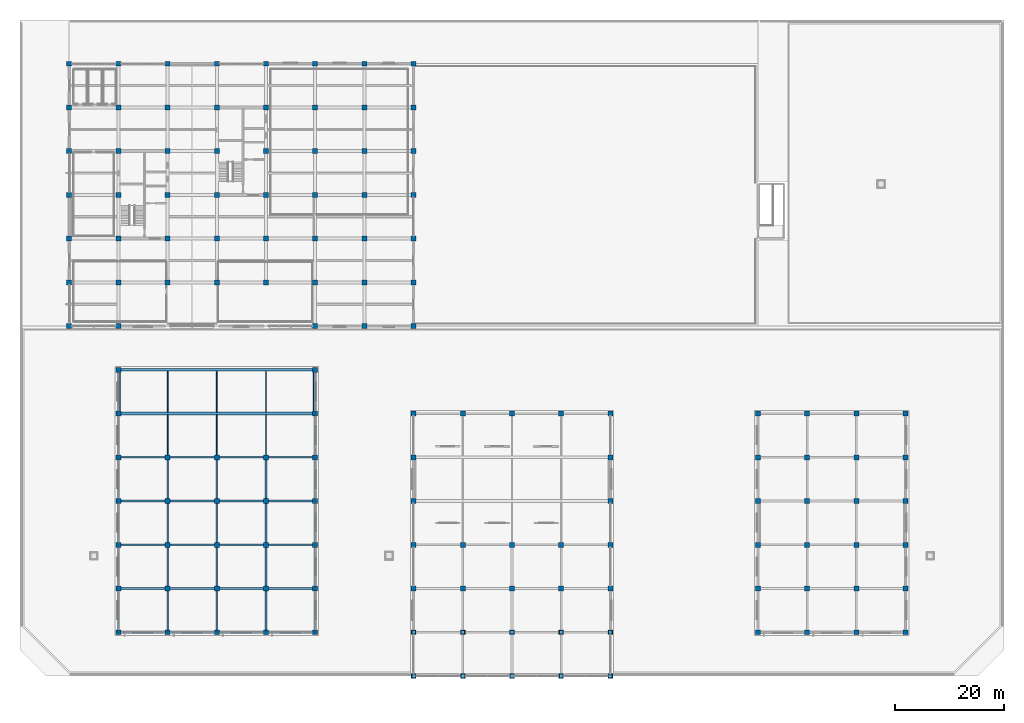
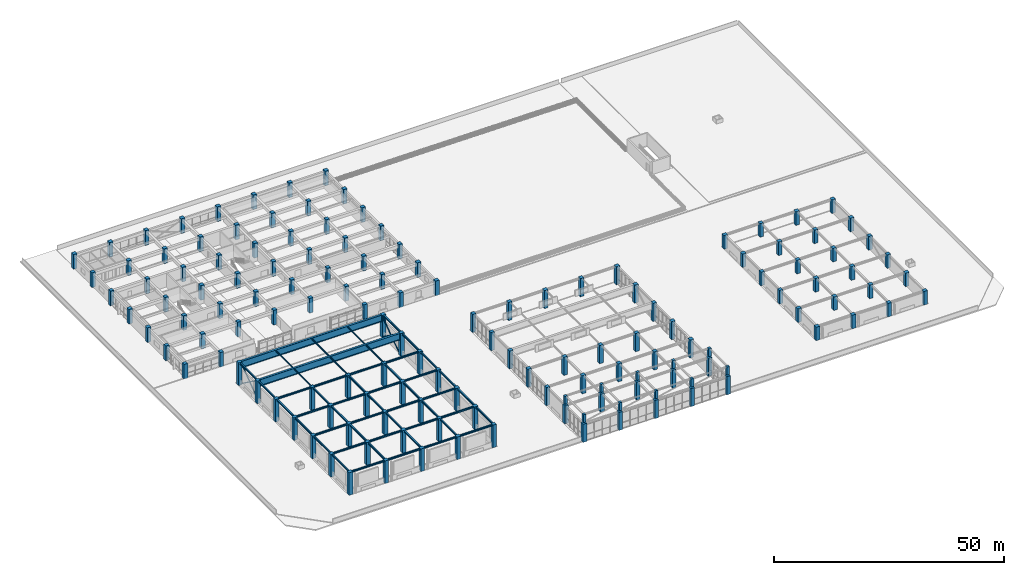
# One storey, part 1 of 34: 145 columns, 52 beams, 4 members.
"""IFC4 building model written with IfcOpenShell, lengths in metres."""

from ifc_helpers import new_model, si_unit, direction, frame, origin, origin_2d, place, context, subcontext, project, spatial, rectangle, hollow_rectangle, i_section, extrude, material, material_profile, profile_set, type_object, element, save


model = new_model("IFC4")

# Units and contexts
model_context = context("Model", 3, precision=1e-05, world=origin(), true_north=direction((0.0, 1.0)))
body_context = subcontext(model_context, "Body", "Model", "MODEL_VIEW")
ifc_project = project(units=[si_unit("LENGTHUNIT", "METRE"), si_unit("AREAUNIT", "SQUARE_METRE"), si_unit("VOLUMEUNIT", "CUBIC_METRE"), si_unit("PLANEANGLEUNIT", "RADIAN"), si_unit("MASSUNIT", "GRAM", prefix="KILO")], contexts=[model_context])

# Site, building, storey
site_placement = place(None, origin())
site = spatial("IfcSite", under=ifc_project, at=site_placement, CompositionType="ELEMENT")
building_placement = place(site_placement, origin())
building = spatial("IfcBuilding", under=site, at=building_placement, Name="Zaverband Oceanarium and Marine Research Institute", CompositionType="ELEMENT")
storey_placement = place(building_placement, frame((0.0, 0.0, 18.0)))
storey = spatial("IfcBuildingStorey", under=building, at=storey_placement, Name="L04", CompositionType="ELEMENT", Elevation=18.0)

# Columns
ifc_material_1 = material(Name="Concrete C50/60", Category="concrete")
ifc_material_profile_1 = material_profile(ifc_material_1, rectangle(XDim=0.64990234375, YDim=0.64990234375, at=origin_2d()), Name="RC650x650")
ifc_profile_set_1 = profile_set([ifc_material_profile_1], Name="Concrete C50/60")
column_type_1 = type_object("IfcColumnType", Name="COL-C650", PredefinedType="COLUMN", material=ifc_profile_set_1)
for number, where, z_axis, x_axis, name in (
    (1, (72.0, 0.0, 5.10009765625), (0.0, 0.0, 1.0), (1.0, 0.0, 0.0), "Reinforced concrete column RC650x650 COL-C650"),
    (2, (72.0, 8.0, 5.10009765625), (0.0, 0.0, 1.0), (1.0, 0.0, 0.0), "Reinforced concrete column RC650x650 COL-C650"),
    (3, (81.0, 0.0, 5.10009765625), (0.0, 0.0, 1.0), (1.0, 0.0, 0.0), "Reinforced concrete column RC650x650 COL-C650"),
    (4, (81.0, 8.0, 5.10009765625), (0.0, 0.0, 1.0), (1.0, 0.0, 0.0), "Reinforced concrete column RC650x650 COL-C650"),
    (5, (90.0, 0.0, 5.10009765625), (0.0, 0.0, 1.0), (1.0, 0.0, 0.0), "Reinforced concrete column RC650x650 COL-C650"),
    (6, (90.0, 8.0, 5.10009765625), (0.0, 0.0, 1.0), (1.0, 0.0, 0.0), "Reinforced concrete column RC650x650 COL-C650"),
    (7, (99.0, 0.0, 5.10009765625), (0.0, 0.0, 1.0), (1.0, 0.0, 0.0), "Reinforced concrete column RC650x650 COL-C650"),
    (8, (99.0, 8.0, 5.10009765625), (0.0, 0.0, 1.0), (1.0, 0.0, 0.0), "Reinforced concrete column RC650x650 COL-C650"),
    (9, (108.0, 0.0, 5.10009765625), (0.0, 0.0, 1.0), (1.0, 0.0, 0.0), "Reinforced concrete column RC650x650 COL-C650"),
    (10, (108.0, 8.0, 5.10009765625), (0.0, 0.0, 1.0), (1.0, 0.0, 0.0), "Reinforced concrete column RC650x650 COL-C650"),
):
    element("IfcColumn", number, at=place(storey_placement, frame(where, z_axis=z_axis, x_axis=x_axis)), inside=storey, type_object=column_type_1, Name=name, PredefinedType="COLUMN", context=body_context, shape_type="SweptSolid", body=[
        extrude(rectangle(XDim=0.64990234375, YDim=0.64990234375, at=origin_2d()), origin(), (0.0, 0.0, 1.0), 2.099853515625),
    ])
ifc_material_profile_2 = material_profile(ifc_material_1, rectangle(XDim=0.89990234375, YDim=0.89990234375, at=origin_2d()), Name="RC900x900")
ifc_profile_set_2 = profile_set([ifc_material_profile_2], Name="Concrete C50/60")
column_type_2 = type_object("IfcColumnType", Name="COL-C900", PredefinedType="COLUMN", material=ifc_profile_set_2)
for number, where, z_axis, x_axis, name in (
    (11, (9.0, 64.0, 0.0), (0.0, 0.0, 1.0), (1.0, 0.0, 0.0), "Reinforced concrete column RC900x900 COL-C900"),
    (12, (9.0, 72.0, 0.0), (0.0, 0.0, 1.0), (1.0, 0.0, 0.0), "Reinforced concrete column RC900x900 COL-C900"),
    (13, (9.0, 80.0, 0.0), (0.0, 0.0, 1.0), (1.0, 0.0, 0.0), "Reinforced concrete column RC900x900 COL-C900"),
    (14, (9.0, 88.0, 0.0), (0.0, 0.0, 1.0), (1.0, 0.0, 0.0), "Reinforced concrete column RC900x900 COL-C900"),
    (15, (9.0, 96.0, 0.0), (0.0, 0.0, 1.0), (1.0, 0.0, 0.0), "Reinforced concrete column RC900x900 COL-C900"),
    (16, (9.0, 104.0, 0.0), (0.0, 0.0, 1.0), (1.0, 0.0, 0.0), "Reinforced concrete column RC900x900 COL-C900"),
    (17, (9.0, 112.0, 0.0), (0.0, 0.0, 1.0), (1.0, 0.0, 0.0), "Reinforced concrete column RC900x900 COL-C900"),
    (18, (18.0, 64.0, 0.0), (0.0, 0.0, 1.0), (1.0, 0.0, 0.0), "Reinforced concrete column RC900x900 COL-C900"),
    (19, (18.0, 72.0, 0.0), (0.0, 0.0, 1.0), (1.0, 0.0, 0.0), "Reinforced concrete column RC900x900 COL-C900"),
    (20, (18.0, 80.0, 0.0), (0.0, 0.0, 1.0), (1.0, 0.0, 0.0), "Reinforced concrete column RC900x900 COL-C900"),
    (21, (18.0, 88.0, 0.0), (0.0, 0.0, 1.0), (1.0, 0.0, 0.0), "Reinforced concrete column RC900x900 COL-C900"),
    (22, (18.0, 96.0, 0.0), (0.0, 0.0, 1.0), (1.0, 0.0, 0.0), "Reinforced concrete column RC900x900 COL-C900"),
    (23, (18.0, 104.0, 0.0), (0.0, 0.0, 1.0), (1.0, 0.0, 0.0), "Reinforced concrete column RC900x900 COL-C900"),
    (24, (18.0, 112.0, 0.0), (0.0, 0.0, 1.0), (1.0, 0.0, 0.0), "Reinforced concrete column RC900x900 COL-C900"),
    (25, (27.0, 72.0, 0.0), (0.0, 0.0, 1.0), (1.0, 0.0, 0.0), "Reinforced concrete column RC900x900 COL-C900"),
    (26, (27.0, 80.0, 0.0), (0.0, 0.0, 1.0), (1.0, 0.0, 0.0), "Reinforced concrete column RC900x900 COL-C900"),
    (27, (27.0, 88.0, 0.0), (0.0, 0.0, 1.0), (1.0, 0.0, 0.0), "Reinforced concrete column RC900x900 COL-C900"),
    (28, (27.0, 96.0, 0.0), (0.0, 0.0, 1.0), (1.0, 0.0, 0.0), "Reinforced concrete column RC900x900 COL-C900"),
    (29, (27.0, 104.0, 0.0), (0.0, 0.0, 1.0), (1.0, 0.0, 0.0), "Reinforced concrete column RC900x900 COL-C900"),
    (30, (27.0, 112.0, 0.0), (0.0, 0.0, 1.0), (1.0, 0.0, 0.0), "Reinforced concrete column RC900x900 COL-C900"),
    (31, (36.0, 72.0, 0.0), (0.0, 0.0, 1.0), (1.0, 0.0, 0.0), "Reinforced concrete column RC900x900 COL-C900"),
    (32, (36.0, 80.0, 0.0), (0.0, 0.0, 1.0), (1.0, 0.0, 0.0), "Reinforced concrete column RC900x900 COL-C900"),
    (33, (36.0, 88.0, 0.0), (0.0, 0.0, 1.0), (1.0, 0.0, 0.0), "Reinforced concrete column RC900x900 COL-C900"),
    (34, (36.0, 96.0, 0.0), (0.0, 0.0, 1.0), (1.0, 0.0, 0.0), "Reinforced concrete column RC900x900 COL-C900"),
    (35, (36.0, 104.0, 0.0), (0.0, 0.0, 1.0), (1.0, 0.0, 0.0), "Reinforced concrete column RC900x900 COL-C900"),
    (36, (36.0, 112.0, 0.0), (0.0, 0.0, 1.0), (1.0, 0.0, 0.0), "Reinforced concrete column RC900x900 COL-C900"),
    (37, (45.0, 72.0, 0.0), (0.0, 0.0, 1.0), (1.0, 0.0, 0.0), "Reinforced concrete column RC900x900 COL-C900"),
    (38, (45.0, 80.0, 0.0), (0.0, 0.0, 1.0), (1.0, 0.0, 0.0), "Reinforced concrete column RC900x900 COL-C900"),
    (39, (45.0, 88.0, 0.0), (0.0, 0.0, 1.0), (1.0, 0.0, 0.0), "Reinforced concrete column RC900x900 COL-C900"),
    (40, (45.0, 96.0, 0.0), (0.0, 0.0, 1.0), (1.0, 0.0, 0.0), "Reinforced concrete column RC900x900 COL-C900"),
    (41, (45.0, 104.0, 0.0), (0.0, 0.0, 1.0), (1.0, 0.0, 0.0), "Reinforced concrete column RC900x900 COL-C900"),
    (42, (45.0, 112.0, 0.0), (0.0, 0.0, 1.0), (1.0, 0.0, 0.0), "Reinforced concrete column RC900x900 COL-C900"),
    (43, (54.0, 64.0, 0.0), (0.0, 0.0, 1.0), (1.0, 0.0, 0.0), "Reinforced concrete column RC900x900 COL-C900"),
    (44, (54.0, 72.0, 0.0), (0.0, 0.0, 1.0), (1.0, 0.0, 0.0), "Reinforced concrete column RC900x900 COL-C900"),
    (45, (54.0, 80.0, 0.0), (0.0, 0.0, 1.0), (1.0, 0.0, 0.0), "Reinforced concrete column RC900x900 COL-C900"),
    (46, (54.0, 88.0, 0.0), (0.0, 0.0, 1.0), (1.0, 0.0, 0.0), "Reinforced concrete column RC900x900 COL-C900"),
    (47, (54.0, 96.0, 0.0), (0.0, 0.0, 1.0), (1.0, 0.0, 0.0), "Reinforced concrete column RC900x900 COL-C900"),
    (48, (54.0, 104.0, 0.0), (0.0, 0.0, 1.0), (1.0, 0.0, 0.0), "Reinforced concrete column RC900x900 COL-C900"),
    (49, (54.0, 112.0, 0.0), (0.0, 0.0, 1.0), (1.0, 0.0, 0.0), "Reinforced concrete column RC900x900 COL-C900"),
    (50, (63.0, 64.0, 0.0), (0.0, 0.0, 1.0), (1.0, 0.0, 0.0), "Reinforced concrete column RC900x900 COL-C900"),
    (51, (63.0, 72.0, 0.0), (0.0, 0.0, 1.0), (1.0, 0.0, 0.0), "Reinforced concrete column RC900x900 COL-C900"),
    (52, (63.0, 80.0, 0.0), (0.0, 0.0, 1.0), (1.0, 0.0, 0.0), "Reinforced concrete column RC900x900 COL-C900"),
    (53, (63.0, 88.0, 0.0), (0.0, 0.0, 1.0), (1.0, 0.0, 0.0), "Reinforced concrete column RC900x900 COL-C900"),
    (54, (63.0, 96.0, 0.0), (0.0, 0.0, 1.0), (1.0, 0.0, 0.0), "Reinforced concrete column RC900x900 COL-C900"),
    (55, (63.0, 104.0, 0.0), (0.0, 0.0, 1.0), (1.0, 0.0, 0.0), "Reinforced concrete column RC900x900 COL-C900"),
    (56, (63.0, 112.0, 0.0), (0.0, 0.0, 1.0), (1.0, 0.0, 0.0), "Reinforced concrete column RC900x900 COL-C900"),
    (57, (72.0, 64.0, 0.0), (0.0, 0.0, 1.0), (1.0, 0.0, 0.0), "Reinforced concrete column RC900x900 COL-C900"),
    (58, (72.0, 72.0, 0.0), (0.0, 0.0, 1.0), (1.0, 0.0, 0.0), "Reinforced concrete column RC900x900 COL-C900"),
    (59, (72.0, 80.0, 0.0), (0.0, 0.0, 1.0), (1.0, 0.0, 0.0), "Reinforced concrete column RC900x900 COL-C900"),
    (60, (72.0, 88.0, 0.0), (0.0, 0.0, 1.0), (1.0, 0.0, 0.0), "Reinforced concrete column RC900x900 COL-C900"),
    (61, (72.0, 96.0, 0.0), (0.0, 0.0, 1.0), (1.0, 0.0, 0.0), "Reinforced concrete column RC900x900 COL-C900"),
    (62, (72.0, 104.0, 0.0), (0.0, 0.0, 1.0), (1.0, 0.0, 0.0), "Reinforced concrete column RC900x900 COL-C900"),
    (63, (72.0, 112.0, 0.0), (0.0, 0.0, 1.0), (1.0, 0.0, 0.0), "Reinforced concrete column RC900x900 COL-C900"),
):
    element("IfcColumn", number, at=place(storey_placement, frame(where, z_axis=z_axis, x_axis=x_axis)), inside=storey, type_object=column_type_2, Name=name, PredefinedType="COLUMN", context=body_context, shape_type="SweptSolid", body=[
        extrude(rectangle(XDim=0.89990234375, YDim=0.89990234375, at=origin_2d()), origin(), (0.0, 0.0, 1.0), 3.89990234375),
    ])
for number, where, z_axis, x_axis, name in (
    (64, (18.0, 8.0, 0.0), (0.0, 0.0, 1.0), (1.0, 0.0, 0.0), "Reinforced concrete column RC900x900 COL-C900"),
    (65, (18.0, 16.0, 0.0), (0.0, 0.0, 1.0), (1.0, 0.0, 0.0), "Reinforced concrete column RC900x900 COL-C900"),
    (66, (18.0, 24.0, 0.0), (0.0, 0.0, 1.0), (1.0, 0.0, 0.0), "Reinforced concrete column RC900x900 COL-C900"),
    (67, (18.0, 32.0, 0.0), (0.0, 0.0, 1.0), (1.0, 0.0, 0.0), "Reinforced concrete column RC900x900 COL-C900"),
    (68, (18.0, 40.0, 0.0), (0.0, 0.0, 1.0), (1.0, 0.0, 0.0), "Reinforced concrete column RC900x900 COL-C900"),
    (69, (27.0, 8.0, 0.0), (0.0, 0.0, 1.0), (1.0, 0.0, 0.0), "Reinforced concrete column RC900x900 COL-C900"),
    (70, (27.0, 16.0, 0.0), (0.0, 0.0, 1.0), (1.0, 0.0, 0.0), "Reinforced concrete column RC900x900 COL-C900"),
    (71, (27.0, 24.0, 0.0), (0.0, 0.0, 1.0), (1.0, 0.0, 0.0), "Reinforced concrete column RC900x900 COL-C900"),
    (72, (27.0, 32.0, 0.0), (0.0, 0.0, 1.0), (1.0, 0.0, 0.0), "Reinforced concrete column RC900x900 COL-C900"),
    (73, (27.0, 40.0, 0.0), (0.0, 0.0, 1.0), (1.0, 0.0, 0.0), "Reinforced concrete column RC900x900 COL-C900"),
    (74, (36.0, 8.0, 0.0), (0.0, 0.0, 1.0), (1.0, 0.0, 0.0), "Reinforced concrete column RC900x900 COL-C900"),
    (75, (36.0, 16.0, 0.0), (0.0, 0.0, 1.0), (1.0, 0.0, 0.0), "Reinforced concrete column RC900x900 COL-C900"),
    (76, (36.0, 24.0, 0.0), (0.0, 0.0, 1.0), (1.0, 0.0, 0.0), "Reinforced concrete column RC900x900 COL-C900"),
    (77, (36.0, 32.0, 0.0), (0.0, 0.0, 1.0), (1.0, 0.0, 0.0), "Reinforced concrete column RC900x900 COL-C900"),
    (78, (36.0, 40.0, 0.0), (0.0, 0.0, 1.0), (1.0, 0.0, 0.0), "Reinforced concrete column RC900x900 COL-C900"),
    (79, (45.0, 8.0, 0.0), (0.0, 0.0, 1.0), (1.0, 0.0, 0.0), "Reinforced concrete column RC900x900 COL-C900"),
    (80, (45.0, 16.0, 0.0), (0.0, 0.0, 1.0), (1.0, 0.0, 0.0), "Reinforced concrete column RC900x900 COL-C900"),
    (81, (45.0, 24.0, 0.0), (0.0, 0.0, 1.0), (1.0, 0.0, 0.0), "Reinforced concrete column RC900x900 COL-C900"),
    (82, (45.0, 32.0, 0.0), (0.0, 0.0, 1.0), (1.0, 0.0, 0.0), "Reinforced concrete column RC900x900 COL-C900"),
    (83, (45.0, 40.0, 0.0), (0.0, 0.0, 1.0), (1.0, 0.0, 0.0), "Reinforced concrete column RC900x900 COL-C900"),
    (84, (54.0, 8.0, 0.0), (0.0, 0.0, 1.0), (1.0, 0.0, 0.0), "Reinforced concrete column RC900x900 COL-C900"),
    (85, (54.0, 16.0, 0.0), (0.0, 0.0, 1.0), (1.0, 0.0, 0.0), "Reinforced concrete column RC900x900 COL-C900"),
    (86, (54.0, 24.0, 0.0), (0.0, 0.0, 1.0), (1.0, 0.0, 0.0), "Reinforced concrete column RC900x900 COL-C900"),
    (87, (54.0, 32.0, 0.0), (0.0, 0.0, 1.0), (1.0, 0.0, 0.0), "Reinforced concrete column RC900x900 COL-C900"),
    (88, (54.0, 40.0, 0.0), (0.0, 0.0, 1.0), (1.0, 0.0, 0.0), "Reinforced concrete column RC900x900 COL-C900"),
    (89, (18.0, 48.0, 0.0), (0.0, 0.0, 1.0), (1.0, 0.0, 0.0), "Reinforced concrete column RC900x900 COL-C900"),
    (90, (18.0, 56.0, 0.0), (0.0, 0.0, 1.0), (1.0, 0.0, 0.0), "Reinforced concrete column RC900x900 COL-C900"),
    (91, (54.0, 48.0, 0.0), (0.0, 0.0, 1.0), (1.0, 0.0, 0.0), "Reinforced concrete column RC900x900 COL-C900"),
    (92, (54.0, 56.0, 0.0), (0.0, 0.0, 1.0), (1.0, 0.0, 0.0), "Reinforced concrete column RC900x900 COL-C900"),
):
    element("IfcColumn", number, at=place(storey_placement, frame(where, z_axis=z_axis, x_axis=x_axis)), inside=storey, type_object=column_type_2, Name=name, PredefinedType="COLUMN", context=body_context, shape_type="SweptSolid", body=[
        extrude(rectangle(XDim=0.89990234375, YDim=0.89990234375, at=origin_2d()), origin(), (0.0, 0.0, 1.0), 6.0),
    ])
for number, where, z_axis, x_axis, name in (
    (93, (72.0, 0.0, 0.0), (0.0, 0.0, 1.0), (1.0, 0.0, 0.0), "Reinforced concrete column RC900x900 COL-C900"),
    (94, (72.0, 8.0, 0.0), (0.0, 0.0, 1.0), (1.0, 0.0, 0.0), "Reinforced concrete column RC900x900 COL-C900"),
    (95, (72.0, 16.0, 0.0), (0.0, 0.0, 1.0), (1.0, 0.0, 0.0), "Reinforced concrete column RC900x900 COL-C900"),
    (96, (72.0, 24.0, 0.0), (0.0, 0.0, 1.0), (1.0, 0.0, 0.0), "Reinforced concrete column RC900x900 COL-C900"),
    (97, (72.0, 48.0, 0.0), (0.0, 0.0, 1.0), (1.0, 0.0, 0.0), "Reinforced concrete column RC900x900 COL-C900"),
    (98, (81.0, 0.0, 0.0), (0.0, 0.0, 1.0), (1.0, 0.0, 0.0), "Reinforced concrete column RC900x900 COL-C900"),
    (99, (81.0, 8.0, 0.0), (0.0, 0.0, 1.0), (1.0, 0.0, 0.0), "Reinforced concrete column RC900x900 COL-C900"),
    (100, (81.0, 16.0, 0.0), (0.0, 0.0, 1.0), (1.0, 0.0, 0.0), "Reinforced concrete column RC900x900 COL-C900"),
    (101, (81.0, 24.0, 0.0), (0.0, 0.0, 1.0), (1.0, 0.0, 0.0), "Reinforced concrete column RC900x900 COL-C900"),
    (102, (81.0, 48.0, 0.0), (0.0, 0.0, 1.0), (1.0, 0.0, 0.0), "Reinforced concrete column RC900x900 COL-C900"),
    (103, (90.0, 0.0, 0.0), (0.0, 0.0, 1.0), (1.0, 0.0, 0.0), "Reinforced concrete column RC900x900 COL-C900"),
    (104, (90.0, 8.0, 0.0), (0.0, 0.0, 1.0), (1.0, 0.0, 0.0), "Reinforced concrete column RC900x900 COL-C900"),
    (105, (90.0, 16.0, 0.0), (0.0, 0.0, 1.0), (1.0, 0.0, 0.0), "Reinforced concrete column RC900x900 COL-C900"),
    (106, (90.0, 24.0, 0.0), (0.0, 0.0, 1.0), (1.0, 0.0, 0.0), "Reinforced concrete column RC900x900 COL-C900"),
    (107, (90.0, 48.0, 0.0), (0.0, 0.0, 1.0), (1.0, 0.0, 0.0), "Reinforced concrete column RC900x900 COL-C900"),
    (108, (99.0, 0.0, 0.0), (0.0, 0.0, 1.0), (1.0, 0.0, 0.0), "Reinforced concrete column RC900x900 COL-C900"),
    (109, (99.0, 8.0, 0.0), (0.0, 0.0, 1.0), (1.0, 0.0, 0.0), "Reinforced concrete column RC900x900 COL-C900"),
    (110, (99.0, 16.0, 0.0), (0.0, 0.0, 1.0), (1.0, 0.0, 0.0), "Reinforced concrete column RC900x900 COL-C900"),
    (111, (99.0, 24.0, 0.0), (0.0, 0.0, 1.0), (1.0, 0.0, 0.0), "Reinforced concrete column RC900x900 COL-C900"),
    (112, (99.0, 48.0, 0.0), (0.0, 0.0, 1.0), (1.0, 0.0, 0.0), "Reinforced concrete column RC900x900 COL-C900"),
    (113, (108.0, 0.0, 0.0), (0.0, 0.0, 1.0), (1.0, 0.0, 0.0), "Reinforced concrete column RC900x900 COL-C900"),
    (114, (108.0, 8.0, 0.0), (0.0, 0.0, 1.0), (1.0, 0.0, 0.0), "Reinforced concrete column RC900x900 COL-C900"),
    (115, (108.0, 16.0, 0.0), (0.0, 0.0, 1.0), (1.0, 0.0, 0.0), "Reinforced concrete column RC900x900 COL-C900"),
    (116, (108.0, 24.0, 0.0), (0.0, 0.0, 1.0), (1.0, 0.0, 0.0), "Reinforced concrete column RC900x900 COL-C900"),
    (117, (108.0, 48.0, 0.0), (0.0, 0.0, 1.0), (1.0, 0.0, 0.0), "Reinforced concrete column RC900x900 COL-C900"),
    (118, (72.0, 32.0, 0.0), (0.0, 0.0, 1.0), (1.0, 0.0, 0.0), "Reinforced concrete column RC900x900 COL-C900"),
    (119, (72.0, 40.0, 0.0), (0.0, 0.0, 1.0), (1.0, 0.0, 0.0), "Reinforced concrete column RC900x900 COL-C900"),
    (120, (108.0, 32.0, 0.0), (0.0, 0.0, 1.0), (1.0, 0.0, 0.0), "Reinforced concrete column RC900x900 COL-C900"),
    (121, (108.0, 40.0, 0.0), (0.0, 0.0, 1.0), (1.0, 0.0, 0.0), "Reinforced concrete column RC900x900 COL-C900"),
):
    element("IfcColumn", number, at=place(storey_placement, frame(where, z_axis=z_axis, x_axis=x_axis)), inside=storey, type_object=column_type_2, Name=name, PredefinedType="COLUMN", context=body_context, shape_type="SweptSolid", body=[
        extrude(rectangle(XDim=0.89990234375, YDim=0.89990234375, at=origin_2d()), origin(), (0.0, 0.0, 1.0), 4.800048828125),
    ])
for number, where, z_axis, x_axis, name in (
    (122, (135.0, 8.0, 0.0), (0.0, 0.0, 1.0), (1.0, 0.0, 0.0), "Reinforced concrete column RC900x900 COL-C900"),
    (123, (135.0, 16.0, 0.0), (0.0, 0.0, 1.0), (1.0, 0.0, 0.0), "Reinforced concrete column RC900x900 COL-C900"),
    (124, (135.0, 24.0, 0.0), (0.0, 0.0, 1.0), (1.0, 0.0, 0.0), "Reinforced concrete column RC900x900 COL-C900"),
    (125, (135.0, 32.0, 0.0), (0.0, 0.0, 1.0), (1.0, 0.0, 0.0), "Reinforced concrete column RC900x900 COL-C900"),
    (126, (135.0, 40.0, 0.0), (0.0, 0.0, 1.0), (1.0, 0.0, 0.0), "Reinforced concrete column RC900x900 COL-C900"),
    (127, (135.0, 48.0, 0.0), (0.0, 0.0, 1.0), (1.0, 0.0, 0.0), "Reinforced concrete column RC900x900 COL-C900"),
    (128, (144.0, 8.0, 0.0), (0.0, 0.0, 1.0), (1.0, 0.0, 0.0), "Reinforced concrete column RC900x900 COL-C900"),
    (129, (144.0, 16.0, 0.0), (0.0, 0.0, 1.0), (1.0, 0.0, 0.0), "Reinforced concrete column RC900x900 COL-C900"),
    (130, (144.0, 24.0, 0.0), (0.0, 0.0, 1.0), (1.0, 0.0, 0.0), "Reinforced concrete column RC900x900 COL-C900"),
    (131, (144.0, 32.0, 0.0), (0.0, 0.0, 1.0), (1.0, 0.0, 0.0), "Reinforced concrete column RC900x900 COL-C900"),
    (132, (144.0, 40.0, 0.0), (0.0, 0.0, 1.0), (1.0, 0.0, 0.0), "Reinforced concrete column RC900x900 COL-C900"),
    (133, (144.0, 48.0, 0.0), (0.0, 0.0, 1.0), (1.0, 0.0, 0.0), "Reinforced concrete column RC900x900 COL-C900"),
    (134, (153.0, 8.0, 0.0), (0.0, 0.0, 1.0), (1.0, 0.0, 0.0), "Reinforced concrete column RC900x900 COL-C900"),
    (135, (153.0, 16.0, 0.0), (0.0, 0.0, 1.0), (1.0, 0.0, 0.0), "Reinforced concrete column RC900x900 COL-C900"),
    (136, (153.0, 24.0, 0.0), (0.0, 0.0, 1.0), (1.0, 0.0, 0.0), "Reinforced concrete column RC900x900 COL-C900"),
    (137, (153.0, 32.0, 0.0), (0.0, 0.0, 1.0), (1.0, 0.0, 0.0), "Reinforced concrete column RC900x900 COL-C900"),
    (138, (153.0, 40.0, 0.0), (0.0, 0.0, 1.0), (1.0, 0.0, 0.0), "Reinforced concrete column RC900x900 COL-C900"),
    (139, (153.0, 48.0, 0.0), (0.0, 0.0, 1.0), (1.0, 0.0, 0.0), "Reinforced concrete column RC900x900 COL-C900"),
    (140, (162.0, 8.0, 0.0), (0.0, 0.0, 1.0), (1.0, 0.0, 0.0), "Reinforced concrete column RC900x900 COL-C900"),
    (141, (162.0, 16.0, 0.0), (0.0, 0.0, 1.0), (1.0, 0.0, 0.0), "Reinforced concrete column RC900x900 COL-C900"),
    (142, (162.0, 24.0, 0.0), (0.0, 0.0, 1.0), (1.0, 0.0, 0.0), "Reinforced concrete column RC900x900 COL-C900"),
    (143, (162.0, 32.0, 0.0), (0.0, 0.0, 1.0), (1.0, 0.0, 0.0), "Reinforced concrete column RC900x900 COL-C900"),
    (144, (162.0, 40.0, 0.0), (0.0, 0.0, 1.0), (1.0, 0.0, 0.0), "Reinforced concrete column RC900x900 COL-C900"),
    (145, (162.0, 48.0, 0.0), (0.0, 0.0, 1.0), (1.0, 0.0, 0.0), "Reinforced concrete column RC900x900 COL-C900"),
):
    element("IfcColumn", number, at=place(storey_placement, frame(where, z_axis=z_axis, x_axis=x_axis)), inside=storey, type_object=column_type_2, Name=name, PredefinedType="COLUMN", context=body_context, shape_type="SweptSolid", body=[
        extrude(rectangle(XDim=0.89990234375, YDim=0.89990234375, at=origin_2d()), origin(), (0.0, 0.0, 1.0), 3.60009765625),
    ])

# Members
ifc_material_2 = material(Name="Steel S355", Category="steel")
ifc_material_profile_3 = material_profile(ifc_material_2, hollow_rectangle(XDim=0.14990234375, YDim=0.14990234375, WallThickness=0.008056640625, at=origin_2d()), Name="SHS150x150x8")
ifc_profile_set_3 = profile_set([ifc_material_profile_3], Name="Steel S355")
member_type = type_object("IfcMemberType", Name="BR-04", PredefinedType="BRACE", material=ifc_profile_set_3)
for number, where, z_axis, x_axis, name in (
    (146, (18.300048828125, 48.0, 0.0), (0.0, 0.809608095134, 0.586970810428), (-1.0, 0.0, 0.0), "Diagonal lateral brace BR-04"),
    (147, (18.300048828125, 56.0, 0.0), (0.0, -0.809608095134, 0.586970810428), (1.0, 0.0, 0.0), "Diagonal lateral brace BR-04"),
    (148, (53.699951171875, 48.0, 0.0), (0.0, 0.809608095134, 0.586970810428), (-1.0, 0.0, 0.0), "Diagonal lateral brace BR-04"),
    (149, (53.699951171875, 56.0, 0.0), (0.0, -0.809608095134, 0.586970810428), (1.0, 0.0, 0.0), "Diagonal lateral brace BR-04"),
):
    element("IfcMember", number, at=place(storey_placement, frame(where, z_axis=z_axis, x_axis=x_axis)), inside=storey, type_object=member_type, Name=name, PredefinedType="BRACE", context=body_context, shape_type="SweptSolid", body=[
        extrude(hollow_rectangle(XDim=0.14990234375, YDim=0.14990234375, WallThickness=0.008056640625, at=origin_2d()), origin(), (0.0, 0.0, 1.0), 9.88134765625),
    ])

# Beams
ifc_material_profile_4 = material_profile(ifc_material_2, i_section(OverallWidth=0.5, OverallDepth=1.800048828125, WebThickness=0.02197265625, FlangeThickness=0.035888671875, FilletRadius=0.027099609375, at=origin_2d()), Name="PG1800x500")
ifc_profile_set_4 = profile_set([ifc_material_profile_4], Name="Steel S355")
beam_type_1 = type_object("IfcBeamType", Name="LG-PG1800", PredefinedType="BEAM", material=ifc_profile_set_4)
for number, where, z_axis, x_axis, name in (
    (150, (18.0, 48.0, 5.10009765625), (1.0, 0.0, 0.0), (0.0, 1.0, 0.0), "Long-span steel plate girder LG-PG1800"),
    (151, (18.0, 56.0, 5.10009765625), (1.0, 0.0, 0.0), (0.0, 1.0, 0.0), "Long-span steel plate girder LG-PG1800"),
):
    element("IfcBeam", number, at=place(storey_placement, frame(where, z_axis=z_axis, x_axis=x_axis)), inside=storey, type_object=beam_type_1, Name=name, PredefinedType="BEAM", context=body_context, shape_type="SweptSolid", body=[
        extrude(i_section(OverallWidth=0.5, OverallDepth=1.800048828125, WebThickness=0.02197265625, FlangeThickness=0.035888671875, FilletRadius=0.027099609375, at=origin_2d()), origin(), (0.0, 0.0, 1.0), 36.0),
    ])
ifc_material_profile_5 = material_profile(ifc_material_2, i_section(OverallWidth=0.300048828125, OverallDepth=0.449951171875, WebThickness=0.013916015625, FlangeThickness=0.02587890625, FilletRadius=0.027099609375, at=origin_2d()), Name="HEB450")
ifc_profile_set_5 = profile_set([ifc_material_profile_5], Name="Steel S355")
beam_type_2 = type_object("IfcBeamType", Name="SB-HEB450", PredefinedType="BEAM", material=ifc_profile_set_5)
for number, where, z_axis, x_axis, name in (
    (152, (18.0, 8.0, 5.77490234375), (1.0, 0.0, 0.0), (0.0, 1.0, 0.0), "Primary steel canopy girder SB-HEB450"),
    (153, (27.0, 8.0, 5.77490234375), (1.0, 0.0, 0.0), (0.0, 1.0, 0.0), "Primary steel canopy girder SB-HEB450"),
    (154, (36.0, 8.0, 5.77490234375), (1.0, 0.0, 0.0), (0.0, 1.0, 0.0), "Primary steel canopy girder SB-HEB450"),
    (155, (45.0, 8.0, 5.77490234375), (1.0, 0.0, 0.0), (0.0, 1.0, 0.0), "Primary steel canopy girder SB-HEB450"),
    (156, (18.0, 16.0, 5.77490234375), (1.0, 0.0, 0.0), (0.0, 1.0, 0.0), "Primary steel canopy girder SB-HEB450"),
    (157, (27.0, 16.0, 5.77490234375), (1.0, 0.0, 0.0), (0.0, 1.0, 0.0), "Primary steel canopy girder SB-HEB450"),
    (158, (36.0, 16.0, 5.77490234375), (1.0, 0.0, 0.0), (0.0, 1.0, 0.0), "Primary steel canopy girder SB-HEB450"),
    (159, (45.0, 16.0, 5.77490234375), (1.0, 0.0, 0.0), (0.0, 1.0, 0.0), "Primary steel canopy girder SB-HEB450"),
    (160, (18.0, 24.0, 5.77490234375), (1.0, 0.0, 0.0), (0.0, 1.0, 0.0), "Primary steel canopy girder SB-HEB450"),
    (161, (27.0, 24.0, 5.77490234375), (1.0, 0.0, 0.0), (0.0, 1.0, 0.0), "Primary steel canopy girder SB-HEB450"),
    (162, (36.0, 24.0, 5.77490234375), (1.0, 0.0, 0.0), (0.0, 1.0, 0.0), "Primary steel canopy girder SB-HEB450"),
    (163, (45.0, 24.0, 5.77490234375), (1.0, 0.0, 0.0), (0.0, 1.0, 0.0), "Primary steel canopy girder SB-HEB450"),
    (164, (18.0, 32.0, 5.77490234375), (1.0, 0.0, 0.0), (0.0, 1.0, 0.0), "Primary steel canopy girder SB-HEB450"),
    (165, (27.0, 32.0, 5.77490234375), (1.0, 0.0, 0.0), (0.0, 1.0, 0.0), "Primary steel canopy girder SB-HEB450"),
    (166, (36.0, 32.0, 5.77490234375), (1.0, 0.0, 0.0), (0.0, 1.0, 0.0), "Primary steel canopy girder SB-HEB450"),
    (167, (45.0, 32.0, 5.77490234375), (1.0, 0.0, 0.0), (0.0, 1.0, 0.0), "Primary steel canopy girder SB-HEB450"),
    (168, (18.0, 40.0, 5.77490234375), (1.0, 0.0, 0.0), (0.0, 1.0, 0.0), "Primary steel canopy girder SB-HEB450"),
    (169, (27.0, 40.0, 5.77490234375), (1.0, 0.0, 0.0), (0.0, 1.0, 0.0), "Primary steel canopy girder SB-HEB450"),
    (170, (36.0, 40.0, 5.77490234375), (1.0, 0.0, 0.0), (0.0, 1.0, 0.0), "Primary steel canopy girder SB-HEB450"),
    (171, (45.0, 40.0, 5.77490234375), (1.0, 0.0, 0.0), (0.0, 1.0, 0.0), "Primary steel canopy girder SB-HEB450"),
):
    element("IfcBeam", number, at=place(storey_placement, frame(where, z_axis=z_axis, x_axis=x_axis)), inside=storey, type_object=beam_type_2, Name=name, PredefinedType="BEAM", context=body_context, shape_type="SweptSolid", body=[
        extrude(i_section(OverallWidth=0.300048828125, OverallDepth=0.449951171875, WebThickness=0.013916015625, FlangeThickness=0.02587890625, FilletRadius=0.027099609375, at=origin_2d()), origin(), (0.0, 0.0, 1.0), 9.0),
    ])
for number, where, z_axis, x_axis, name in (
    (172, (18.0, 8.0, 5.77490234375), (0.0, 1.0, 0.0), (-1.0, 0.0, 0.0), "Primary steel canopy girder SB-HEB450"),
    (173, (18.0, 16.0, 5.77490234375), (0.0, 1.0, 0.0), (-1.0, 0.0, 0.0), "Primary steel canopy girder SB-HEB450"),
    (174, (18.0, 24.0, 5.77490234375), (0.0, 1.0, 0.0), (-1.0, 0.0, 0.0), "Primary steel canopy girder SB-HEB450"),
    (175, (18.0, 32.0, 5.77490234375), (0.0, 1.0, 0.0), (-1.0, 0.0, 0.0), "Primary steel canopy girder SB-HEB450"),
    (176, (27.0, 8.0, 5.77490234375), (0.0, 1.0, 0.0), (-1.0, 0.0, 0.0), "Primary steel canopy girder SB-HEB450"),
    (177, (27.0, 16.0, 5.77490234375), (0.0, 1.0, 0.0), (-1.0, 0.0, 0.0), "Primary steel canopy girder SB-HEB450"),
    (178, (27.0, 24.0, 5.77490234375), (0.0, 1.0, 0.0), (-1.0, 0.0, 0.0), "Primary steel canopy girder SB-HEB450"),
    (179, (27.0, 32.0, 5.77490234375), (0.0, 1.0, 0.0), (-1.0, 0.0, 0.0), "Primary steel canopy girder SB-HEB450"),
    (180, (36.0, 8.0, 5.77490234375), (0.0, 1.0, 0.0), (-1.0, 0.0, 0.0), "Primary steel canopy girder SB-HEB450"),
    (181, (36.0, 16.0, 5.77490234375), (0.0, 1.0, 0.0), (-1.0, 0.0, 0.0), "Primary steel canopy girder SB-HEB450"),
    (182, (36.0, 24.0, 5.77490234375), (0.0, 1.0, 0.0), (-1.0, 0.0, 0.0), "Primary steel canopy girder SB-HEB450"),
    (183, (36.0, 32.0, 5.77490234375), (0.0, 1.0, 0.0), (-1.0, 0.0, 0.0), "Primary steel canopy girder SB-HEB450"),
    (184, (45.0, 8.0, 5.77490234375), (0.0, 1.0, 0.0), (-1.0, 0.0, 0.0), "Primary steel canopy girder SB-HEB450"),
    (185, (45.0, 16.0, 5.77490234375), (0.0, 1.0, 0.0), (-1.0, 0.0, 0.0), "Primary steel canopy girder SB-HEB450"),
    (186, (45.0, 24.0, 5.77490234375), (0.0, 1.0, 0.0), (-1.0, 0.0, 0.0), "Primary steel canopy girder SB-HEB450"),
    (187, (45.0, 32.0, 5.77490234375), (0.0, 1.0, 0.0), (-1.0, 0.0, 0.0), "Primary steel canopy girder SB-HEB450"),
    (188, (54.0, 8.0, 5.77490234375), (0.0, 1.0, 0.0), (-1.0, 0.0, 0.0), "Primary steel canopy girder SB-HEB450"),
    (189, (54.0, 16.0, 5.77490234375), (0.0, 1.0, 0.0), (-1.0, 0.0, 0.0), "Primary steel canopy girder SB-HEB450"),
    (190, (54.0, 24.0, 5.77490234375), (0.0, 1.0, 0.0), (-1.0, 0.0, 0.0), "Primary steel canopy girder SB-HEB450"),
    (191, (54.0, 32.0, 5.77490234375), (0.0, 1.0, 0.0), (-1.0, 0.0, 0.0), "Primary steel canopy girder SB-HEB450"),
    (192, (18.0, 40.0, 5.77490234375), (0.0, 1.0, 0.0), (-1.0, 0.0, 0.0), "Primary steel canopy girder SB-HEB450"),
    (193, (18.0, 48.0, 5.77490234375), (0.0, 1.0, 0.0), (-1.0, 0.0, 0.0), "Primary steel canopy girder SB-HEB450"),
    (194, (54.0, 40.0, 5.77490234375), (0.0, 1.0, 0.0), (-1.0, 0.0, 0.0), "Primary steel canopy girder SB-HEB450"),
    (195, (54.0, 48.0, 5.77490234375), (0.0, 1.0, 0.0), (-1.0, 0.0, 0.0), "Primary steel canopy girder SB-HEB450"),
):
    element("IfcBeam", number, at=place(storey_placement, frame(where, z_axis=z_axis, x_axis=x_axis)), inside=storey, type_object=beam_type_2, Name=name, PredefinedType="BEAM", context=body_context, shape_type="SweptSolid", body=[
        extrude(i_section(OverallWidth=0.300048828125, OverallDepth=0.449951171875, WebThickness=0.013916015625, FlangeThickness=0.02587890625, FilletRadius=0.027099609375, at=origin_2d()), origin(), (0.0, 0.0, 1.0), 8.0),
    ])
ifc_material_profile_6 = material_profile(ifc_material_2, i_section(OverallWidth=0.169921875, OverallDepth=0.360107421875, WebThickness=0.008056640625, FlangeThickness=0.0126953125, FilletRadius=0.01806640625, at=origin_2d()), Name="IPE360")
ifc_profile_set_6 = profile_set([ifc_material_profile_6], Name="Steel S355")
beam_type_3 = type_object("IfcBeamType", Name="SB-IPE360", PredefinedType="JOIST", material=ifc_profile_set_6)
beam_1_placement = place(storey_placement, frame((27.0, 40.14990234375, 5.820068359375), z_axis=(0.0, 1.0, 0.0), x_axis=(-1.0, 0.0, 0.0)))
element("IfcBeam", 196, at=beam_1_placement, inside=storey, type_object=beam_type_3, Name="Atrium secondary steel joist SB-IPE360", PredefinedType="JOIST", context=body_context, shape_type="SweptSolid", body=[
    extrude(i_section(OverallWidth=0.169921875, OverallDepth=0.360107421875, WebThickness=0.008056640625, FlangeThickness=0.0126953125, FilletRadius=0.01806640625, at=origin_2d()), origin(), (0.0, 0.0, 1.0), 7.60009765625),
])
beam_2_placement = place(storey_placement, frame((27.0, 48.25, 5.820068359375), z_axis=(0.0, 1.0, 0.0), x_axis=(-1.0, 0.0, 0.0)))
element("IfcBeam", 197, at=beam_2_placement, inside=storey, type_object=beam_type_3, Name="Atrium secondary steel joist SB-IPE360", PredefinedType="JOIST", context=body_context, shape_type="SweptSolid", body=[
    extrude(i_section(OverallWidth=0.169921875, OverallDepth=0.360107421875, WebThickness=0.008056640625, FlangeThickness=0.0126953125, FilletRadius=0.01806640625, at=origin_2d()), origin(), (0.0, 0.0, 1.0), 7.5),
])
beam_3_placement = place(storey_placement, frame((36.0, 40.14990234375, 5.820068359375), z_axis=(0.0, 1.0, 0.0), x_axis=(-1.0, 0.0, 0.0)))
element("IfcBeam", 198, at=beam_3_placement, inside=storey, type_object=beam_type_3, Name="Atrium secondary steel joist SB-IPE360", PredefinedType="JOIST", context=body_context, shape_type="SweptSolid", body=[
    extrude(i_section(OverallWidth=0.169921875, OverallDepth=0.360107421875, WebThickness=0.008056640625, FlangeThickness=0.0126953125, FilletRadius=0.01806640625, at=origin_2d()), origin(), (0.0, 0.0, 1.0), 7.60009765625),
])
beam_4_placement = place(storey_placement, frame((36.0, 48.25, 5.820068359375), z_axis=(0.0, 1.0, 0.0), x_axis=(-1.0, 0.0, 0.0)))
element("IfcBeam", 199, at=beam_4_placement, inside=storey, type_object=beam_type_3, Name="Atrium secondary steel joist SB-IPE360", PredefinedType="JOIST", context=body_context, shape_type="SweptSolid", body=[
    extrude(i_section(OverallWidth=0.169921875, OverallDepth=0.360107421875, WebThickness=0.008056640625, FlangeThickness=0.0126953125, FilletRadius=0.01806640625, at=origin_2d()), origin(), (0.0, 0.0, 1.0), 7.5),
])
beam_5_placement = place(storey_placement, frame((45.0, 40.14990234375, 5.820068359375), z_axis=(0.0, 1.0, 0.0), x_axis=(-1.0, 0.0, 0.0)))
element("IfcBeam", 200, at=beam_5_placement, inside=storey, type_object=beam_type_3, Name="Atrium secondary steel joist SB-IPE360", PredefinedType="JOIST", context=body_context, shape_type="SweptSolid", body=[
    extrude(i_section(OverallWidth=0.169921875, OverallDepth=0.360107421875, WebThickness=0.008056640625, FlangeThickness=0.0126953125, FilletRadius=0.01806640625, at=origin_2d()), origin(), (0.0, 0.0, 1.0), 7.60009765625),
])
beam_6_placement = place(storey_placement, frame((45.0, 48.25, 5.820068359375), z_axis=(0.0, 1.0, 0.0), x_axis=(-1.0, 0.0, 0.0)))
element("IfcBeam", 201, at=beam_6_placement, inside=storey, type_object=beam_type_3, Name="Atrium secondary steel joist SB-IPE360", PredefinedType="JOIST", context=body_context, shape_type="SweptSolid", body=[
    extrude(i_section(OverallWidth=0.169921875, OverallDepth=0.360107421875, WebThickness=0.008056640625, FlangeThickness=0.0126953125, FilletRadius=0.01806640625, at=origin_2d()), origin(), (0.0, 0.0, 1.0), 7.5),
])

save(model, "model.ifc")
